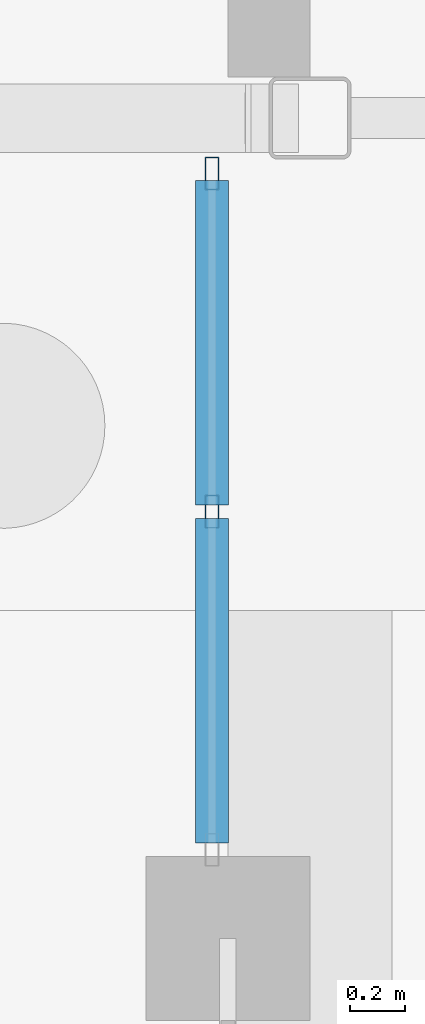
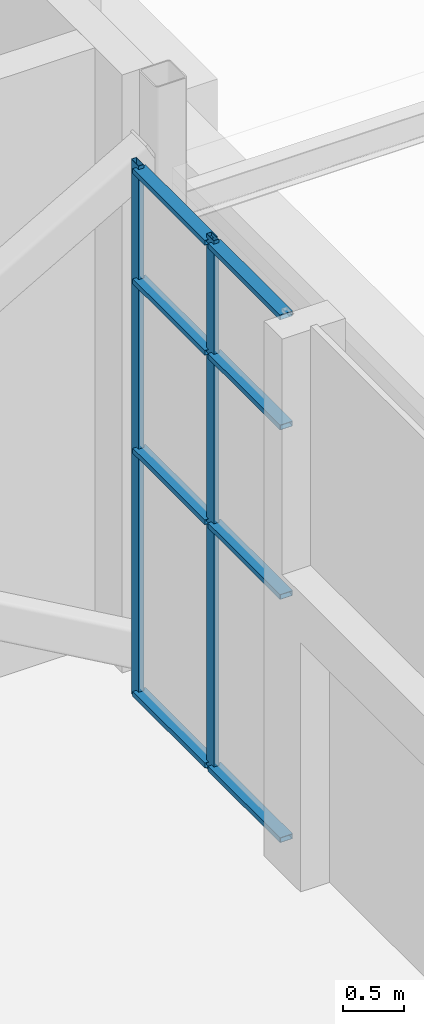
# One storey, part 88 of 139: 10 members, 1 element without a shape of its own.
"""IFC4 building model written with IfcOpenShell, lengths in metres."""

from ifc_helpers import new_model, si_unit, direction, frame, origin, origin_2d, place, context, subcontext, project, spatial, hollow_rectangle, extrude, material, layer, layer_set, material_profile, profile_set, type_object, element, aggregate, save


model = new_model("IFC4")

# Units and contexts
model_context = context("Model", 3, precision=1e-05, world=origin(), true_north=direction((0.0, 1.0)))
body_context = subcontext(model_context, "Body", "Model", "MODEL_VIEW")
ifc_project = project(units=[si_unit("LENGTHUNIT", "METRE"), si_unit("AREAUNIT", "SQUARE_METRE"), si_unit("VOLUMEUNIT", "CUBIC_METRE"), si_unit("PLANEANGLEUNIT", "RADIAN"), si_unit("MASSUNIT", "GRAM", prefix="KILO")], contexts=[model_context])

# Site, building, storey
site_placement = place(None, origin())
site = spatial("IfcSite", under=ifc_project, at=site_placement, CompositionType="ELEMENT")
building_placement = place(site_placement, origin())
building = spatial("IfcBuilding", under=site, at=building_placement, Name="Shorebreak Coast Museum", CompositionType="ELEMENT")
storey_placement = place(building_placement, origin())
storey = spatial("IfcBuildingStorey", under=building, at=storey_placement, Name="L00", CompositionType="ELEMENT", Elevation=0.0)

# Curtain wall, members
ifc_material_1 = material(Name="Aluminium", Category="aluminium")
ifc_layer = layer(ifc_material_1, 0.1201171875)
ifc_layer_set = layer_set([ifc_layer], Name="Aluminium")
curtain_wall_type = type_object("IfcCurtainWallType", Name="Entrance sidelight curtain wall", PredefinedType="NOTDEFINED", material=ifc_layer_set)
curtain_wall_placement = place(storey_placement, origin())
curtain_wall = element("IfcCurtainWall", 1, at=curtain_wall_placement, inside=storey, type_object=curtain_wall_type, Name="Entrance glazing ENT-E 14", PredefinedType="NOTDEFINED")
ifc_material_2 = material(Name="Aluminium", Category="aluminium")
ifc_material_profile_1 = material_profile(ifc_material_2, hollow_rectangle(XDim=0.050048828125, YDim=0.1201171875, WallThickness=0.0029296875, at=origin_2d()), Name="AL 120x50 RHS")
ifc_profile_set_1 = profile_set([ifc_material_profile_1], Name="Aluminium")
member_type_1 = type_object("IfcMemberType", Name="Entrance mullion 50 x 120", PredefinedType="MULLION", material=ifc_profile_set_1)
member_1_placement = place(storey_placement, frame((170.6416015625, 79.56103515625, 0.0), z_axis=(0.0, 0.0, 1.0), x_axis=(-1.0, 0.0, 0.0)))
member_1 = element("IfcMember", 2, at=member_1_placement, type_object=member_type_1, Name="CW1 mullion 2", PredefinedType="MULLION", context=body_context, shape_type="SweptSolid", body=[
    extrude(hollow_rectangle(XDim=0.050048828125, YDim=0.1201171875, WallThickness=0.0029296875, at=origin_2d()), origin(), (0.0, 0.0, 1.0), 5.364501953125),
])
member_2_placement = place(storey_placement, frame((170.6416015625, 80.797119140625, 0.0), z_axis=(0.0, 0.0, 1.0), x_axis=(-1.0, 0.0, 0.0)))
member_2 = element("IfcMember", 3, at=member_2_placement, type_object=member_type_1, Name="CW1 mullion 3", PredefinedType="MULLION", context=body_context, shape_type="SweptSolid", body=[
    extrude(hollow_rectangle(XDim=0.050048828125, YDim=0.1201171875, WallThickness=0.0029296875, at=origin_2d()), origin(), (0.0, 0.0, 1.0), 5.364501953125),
])
ifc_material_3 = material(Name="Aluminium", Category="aluminium")
ifc_material_profile_2 = material_profile(ifc_material_3, hollow_rectangle(XDim=0.1201171875, YDim=0.050048828125, WallThickness=0.0029296875, at=origin_2d()), Name="AL 50x120 RHS")
ifc_profile_set_2 = profile_set([ifc_material_profile_2], Name="Aluminium")
member_type_2 = type_object("IfcMemberType", Name="Entrance transom 120 x 50", PredefinedType="USERDEFINED", material=ifc_profile_set_2)
member_3_placement = place(storey_placement, frame((170.6416015625, 78.35009765625, 0.06005859375), z_axis=(0.0, 1.0, 0.0), x_axis=(-1.0, 0.0, 0.0)))
member_3 = element("IfcMember", 4, at=member_3_placement, type_object=member_type_2, Name="CW1 transom 1.1", ObjectType="TRANSOM", PredefinedType="USERDEFINED", context=body_context, shape_type="SweptSolid", body=[
    extrude(hollow_rectangle(XDim=0.1201171875, YDim=0.050048828125, WallThickness=0.0029296875, at=origin_2d()), origin(), (0.0, 0.0, 1.0), 1.185791015625),
])
member_4_placement = place(storey_placement, frame((170.6416015625, 78.35009765625, 2.5), z_axis=(0.0, 1.0, 0.0), x_axis=(-1.0, 0.0, 0.0)))
member_4 = element("IfcMember", 5, at=member_4_placement, type_object=member_type_2, Name="CW1 transom 1.2", ObjectType="TRANSOM", PredefinedType="USERDEFINED", context=body_context, shape_type="SweptSolid", body=[
    extrude(hollow_rectangle(XDim=0.1201171875, YDim=0.050048828125, WallThickness=0.0029296875, at=origin_2d()), origin(), (0.0, 0.0, 1.0), 1.185791015625),
])
member_5_placement = place(storey_placement, frame((170.6416015625, 78.35009765625, 4.199951171875), z_axis=(0.0, 1.0, 0.0), x_axis=(-1.0, 0.0, 0.0)))
member_5 = element("IfcMember", 6, at=member_5_placement, type_object=member_type_2, Name="CW1 transom 1.3", ObjectType="TRANSOM", PredefinedType="USERDEFINED", context=body_context, shape_type="SweptSolid", body=[
    extrude(hollow_rectangle(XDim=0.1201171875, YDim=0.050048828125, WallThickness=0.0029296875, at=origin_2d()), origin(), (0.0, 0.0, 1.0), 1.185791015625),
])
member_6_placement = place(storey_placement, frame((170.6416015625, 78.35009765625, 5.3046875), z_axis=(0.0, 1.0, 0.0), x_axis=(-1.0, 0.0, 0.0)))
member_6 = element("IfcMember", 7, at=member_6_placement, type_object=member_type_2, Name="CW1 transom 1.4", ObjectType="TRANSOM", PredefinedType="USERDEFINED", context=body_context, shape_type="SweptSolid", body=[
    extrude(hollow_rectangle(XDim=0.1201171875, YDim=0.050048828125, WallThickness=0.0029296875, at=origin_2d()), origin(), (0.0, 0.0, 1.0), 1.185791015625),
])
member_7_placement = place(storey_placement, frame((170.6416015625, 79.5859375, 0.06005859375), z_axis=(0.0, 1.0, 0.0), x_axis=(-1.0, 0.0, 0.0)))
member_7 = element("IfcMember", 8, at=member_7_placement, type_object=member_type_2, Name="CW1 transom 2.1", ObjectType="TRANSOM", PredefinedType="USERDEFINED", context=body_context, shape_type="SweptSolid", body=[
    extrude(hollow_rectangle(XDim=0.1201171875, YDim=0.050048828125, WallThickness=0.0029296875, at=origin_2d()), origin(), (0.0, 0.0, 1.0), 1.18603515625),
])
member_8_placement = place(storey_placement, frame((170.6416015625, 79.5859375, 2.5), z_axis=(0.0, 1.0, 0.0), x_axis=(-1.0, 0.0, 0.0)))
member_8 = element("IfcMember", 9, at=member_8_placement, type_object=member_type_2, Name="CW1 transom 2.2", ObjectType="TRANSOM", PredefinedType="USERDEFINED", context=body_context, shape_type="SweptSolid", body=[
    extrude(hollow_rectangle(XDim=0.1201171875, YDim=0.050048828125, WallThickness=0.0029296875, at=origin_2d()), origin(), (0.0, 0.0, 1.0), 1.18603515625),
])
member_9_placement = place(storey_placement, frame((170.6416015625, 79.5859375, 4.199951171875), z_axis=(0.0, 1.0, 0.0), x_axis=(-1.0, 0.0, 0.0)))
member_9 = element("IfcMember", 10, at=member_9_placement, type_object=member_type_2, Name="CW1 transom 2.3", ObjectType="TRANSOM", PredefinedType="USERDEFINED", context=body_context, shape_type="SweptSolid", body=[
    extrude(hollow_rectangle(XDim=0.1201171875, YDim=0.050048828125, WallThickness=0.0029296875, at=origin_2d()), origin(), (0.0, 0.0, 1.0), 1.18603515625),
])
member_10_placement = place(storey_placement, frame((170.6416015625, 79.5859375, 5.3046875), z_axis=(0.0, 1.0, 0.0), x_axis=(-1.0, 0.0, 0.0)))
member_10 = element("IfcMember", 11, at=member_10_placement, type_object=member_type_2, Name="CW1 transom 2.4", ObjectType="TRANSOM", PredefinedType="USERDEFINED", context=body_context, shape_type="SweptSolid", body=[
    extrude(hollow_rectangle(XDim=0.1201171875, YDim=0.050048828125, WallThickness=0.0029296875, at=origin_2d()), origin(), (0.0, 0.0, 1.0), 1.18603515625),
])
aggregate(curtain_wall, [member_1, member_2, member_3, member_4, member_5, member_6, member_7, member_8, member_9, member_10])

save(model, "model.ifc")
